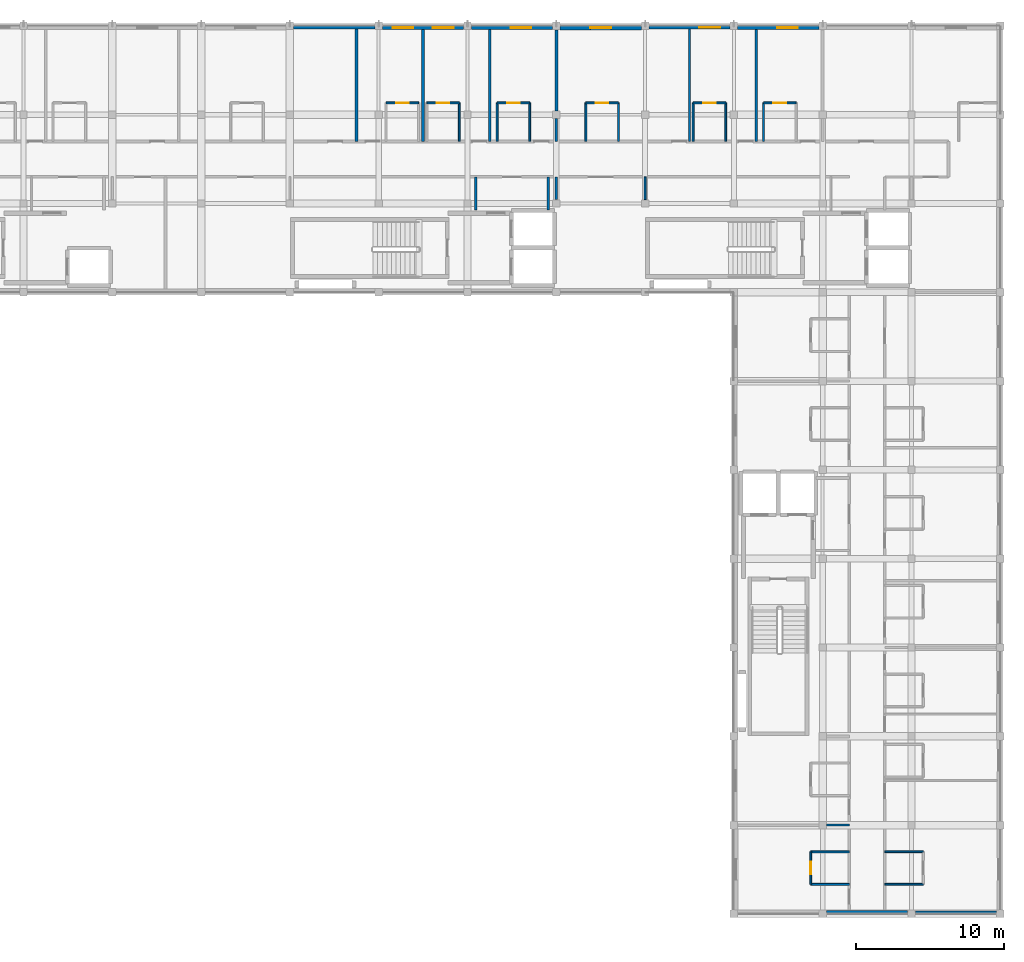
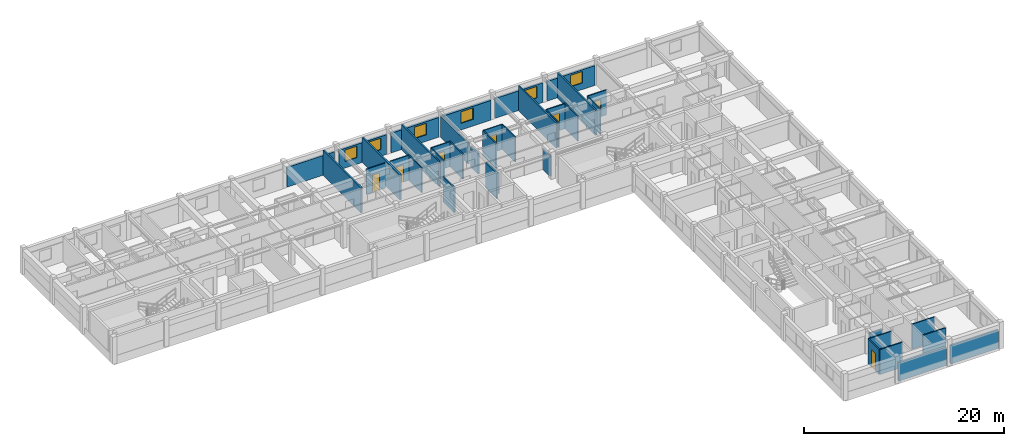
# One storey, part 6 of 14: 39 walls, 7 doors, 6 windows, 13 openings.
"""IFC4 building model written with IfcOpenShell, lengths in metres."""

from ifc_helpers import new_model, si_unit, direction, frame, frame_2d, origin, place, context, subcontext, project, spatial, rectangle, extrude, material, layer, layer_set, type_object, element, fill, save


model = new_model("IFC4")

# Units and contexts
model_context = context("Model", 3, precision=1e-05, world=origin(), true_north=direction((0.0, 1.0)))
body_context = subcontext(model_context, "Body", "Model", "MODEL_VIEW")
ifc_project = project(units=[si_unit("LENGTHUNIT", "METRE"), si_unit("AREAUNIT", "SQUARE_METRE"), si_unit("VOLUMEUNIT", "CUBIC_METRE"), si_unit("PLANEANGLEUNIT", "RADIAN"), si_unit("MASSUNIT", "GRAM", prefix="KILO"), si_unit("THERMODYNAMICTEMPERATUREUNIT", "KELVIN"), si_unit("POWERUNIT", "WATT")], contexts=[model_context])

# Site, building, storey
site_placement = place(None, origin())
site = spatial("IfcSite", under=ifc_project, at=site_placement, CompositionType="ELEMENT")
building_placement = place(site_placement, origin())
building = spatial("IfcBuilding", under=site, at=building_placement, Name="Phaisarnlok Congress Hotel", CompositionType="ELEMENT")
storey_placement = place(building_placement, frame((0.0, 0.0, 48.0)))
storey = spatial("IfcBuildingStorey", under=building, at=storey_placement, Name="L12", CompositionType="ELEMENT", Elevation=48.0)

# Wall, opening, window
ifc_material_1 = material(Name="Concrete C40/50", Category="concrete")
ifc_layer_1 = layer(ifc_material_1, 0.2099609375, Name="Concrete C40/50")
ifc_layer_set_1 = layer_set([ifc_layer_1], Name="Concrete C40/50")
wall_type_1 = type_object("IfcWallType", Name="WL-EXT-210", PredefinedType="SOLIDWALL", material=ifc_layer_set_1)
wall_1_placement = place(storey_placement, frame((161.7451171875, 125.89501953125, 0.0), z_axis=(0.0, 0.0, 1.0), x_axis=(-1.0, 0.0, 0.0)))
wall_1 = element("IfcWall", 1, at=wall_1_placement, inside=storey, type_object=wall_type_1, Name="Exterior wall EW-07 (L12)", PredefinedType="SOLIDWALL", context=body_context, shape_type="SweptSolid", body=[
    extrude(rectangle(XDim=5.490234375, YDim=0.2099609375, at=frame_2d((2.7451171875, 0.0))), origin(), (0.0, 0.0, 1.0), 2.39990234375),
])
opening_1_placement = place(wall_1_placement, frame((0.681884765625, 0.0, 0.800048828125)))
opening_1 = element("IfcOpeningElement", 2, at=opening_1_placement, cuts=wall_1, Name="Opening W-13", PredefinedType="OPENING", context=body_context, shape_type="SweptSolid", body=[
    extrude(rectangle(XDim=1.39990234375, YDim=1.39990234375, at=frame_2d((0.699951171875, 0.699951171875))), frame((0.0, 0.114990234375, 0.0), z_axis=(0.0, -1.0, 0.0), x_axis=(1.0, 0.0, 0.0)), (0.0, 0.0, 1.0), 0.22998046875),
])
ifc_material_2 = material(Name="Thermally Broken Aluminium & Low-E Double Glazing", Category="aluminium")
window_type = type_object("IfcWindowType", Name="WIN-POD-1400", PartitioningType="SINGLE_PANEL", PredefinedType="WINDOW", material=ifc_material_2)
window_1_placement = place(opening_1_placement, origin())
window_1 = element("IfcWindow", 3, at=window_1_placement, inside=storey, type_object=window_type, Name="Guestroom window W-13 (L12)", OverallHeight=1.39990234375, OverallWidth=1.39990234375, PartitioningType="SINGLE_PANEL", PredefinedType="WINDOW", context=body_context, shape_type="SweptSolid", body=[
    extrude(rectangle(XDim=1.39990234375, YDim=1.39990234375, at=frame_2d((0.699951171875, 0.699951171875))), frame((0.0, 0.030029296875, 0.0), z_axis=(0.0, -1.0, 0.0), x_axis=(1.0, 0.0, 0.0)), (0.0, 0.0, 1.0), 0.06005859375),
])
fill(opening_1, window_1)

# Walls
wall_2_placement = place(storey_placement, frame((137.7451171875, 125.89501953125, 0.0), z_axis=(0.0, 0.0, 1.0), x_axis=(-1.0, 0.0, 0.0)))
element("IfcWall", 4, at=wall_2_placement, inside=storey, type_object=wall_type_1, Name="Exterior wall EW-07 (L12)", PredefinedType="SOLIDWALL", context=body_context, shape_type="SweptSolid", body=[
    extrude(rectangle(XDim=5.490234375, YDim=0.2099609375, at=frame_2d((2.7451171875, 0.0))), origin(), (0.0, 0.0, 1.0), 2.39990234375),
])
wall_3_placement = place(storey_placement, frame((174.2548828125, 66.10498046875, 0.0), z_axis=(0.0, 0.0, 1.0), x_axis=(1.0, 0.0, 0.0)))
element("IfcWall", 5, at=wall_3_placement, inside=storey, type_object=wall_type_1, Name="Exterior wall EW-07 (L12)", PredefinedType="SOLIDWALL", context=body_context, shape_type="SweptSolid", body=[
    extrude(rectangle(XDim=5.490234375, YDim=0.2099609375, at=frame_2d((2.7451171875, 0.0))), origin(), (0.0, 0.0, 1.0), 2.25),
])

# Wall, opening, window
ifc_layer_2 = layer(ifc_material_1, 0.22998046875, Name="Concrete C40/50")
ifc_layer_set_2 = layer_set([ifc_layer_2], Name="Concrete C40/50")
wall_type_2 = type_object("IfcWallType", Name="WL-EXT-230", PredefinedType="SOLIDWALL", material=ifc_layer_set_2)
wall_4_placement = place(storey_placement, frame((167.7451171875, 125.885009765625, 0.0), z_axis=(0.0, 0.0, 1.0), x_axis=(-1.0, 0.0, 0.0)))
wall_4 = element("IfcWall", 6, at=wall_4_placement, inside=storey, type_object=wall_type_2, Name="Exterior wall EW-06 (L12)", PredefinedType="SOLIDWALL", context=body_context, shape_type="SweptSolid", body=[
    extrude(rectangle(XDim=5.490234375, YDim=0.22998046875, at=frame_2d((2.7451171875, 0.0))), origin(), (0.0, 0.0, 1.0), 2.39990234375),
])
opening_2_placement = place(wall_4_placement, frame((1.431884765625, 0.0, 0.800048828125)))
opening_2 = element("IfcOpeningElement", 7, at=opening_2_placement, cuts=wall_4, Name="Opening W-13", PredefinedType="OPENING", context=body_context, shape_type="SweptSolid", body=[
    extrude(rectangle(XDim=1.39990234375, YDim=1.39990234375, at=frame_2d((0.699951171875, 0.699951171875))), frame((0.0, 0.125, 0.0), z_axis=(0.0, -1.0, 0.0), x_axis=(1.0, 0.0, 0.0)), (0.0, 0.0, 1.0), 0.25),
])
window_2_placement = place(opening_2_placement, origin())
window_2 = element("IfcWindow", 8, at=window_2_placement, inside=storey, type_object=window_type, Name="Guestroom window W-13 (L12)", OverallHeight=1.39990234375, OverallWidth=1.39990234375, PartitioningType="SINGLE_PANEL", PredefinedType="WINDOW", context=body_context, shape_type="SweptSolid", body=[
    extrude(rectangle(XDim=1.39990234375, YDim=1.39990234375, at=frame_2d((0.699951171875, 0.699951171875))), frame((0.0, 0.030029296875, 0.0), z_axis=(0.0, -1.0, 0.0), x_axis=(1.0, 0.0, 0.0)), (0.0, 0.0, 1.0), 0.06005859375),
])
fill(opening_2, window_2)

# Wall, openings, windows
wall_5_placement = place(storey_placement, frame((143.7451171875, 125.885009765625, 0.0), z_axis=(0.0, 0.0, 1.0), x_axis=(-1.0, 0.0, 0.0)))
wall_5 = element("IfcWall", 9, at=wall_5_placement, inside=storey, type_object=wall_type_2, Name="Exterior wall EW-06 (L12)", PredefinedType="SOLIDWALL", context=body_context, shape_type="SweptSolid", body=[
    extrude(rectangle(XDim=5.490234375, YDim=0.22998046875, at=frame_2d((2.7451171875, 0.0))), origin(), (0.0, 0.0, 1.0), 2.39990234375),
])
opening_3_placement = place(wall_5_placement, frame((3.407958984375, 0.0, 0.800048828125)))
opening_3 = element("IfcOpeningElement", 10, at=opening_3_placement, cuts=wall_5, Name="Opening W-13", PredefinedType="OPENING", context=body_context, shape_type="SweptSolid", body=[
    extrude(rectangle(XDim=1.39990234375, YDim=1.39990234375, at=frame_2d((0.699951171875, 0.699951171875))), frame((0.0, 0.125, 0.0), z_axis=(0.0, -1.0, 0.0), x_axis=(1.0, 0.0, 0.0)), (0.0, 0.0, 1.0), 0.25),
])
opening_4_placement = place(wall_5_placement, frame((0.681884765625, 0.0, 0.800048828125)))
opening_4 = element("IfcOpeningElement", 11, at=opening_4_placement, cuts=wall_5, Name="Opening W-13", PredefinedType="OPENING", context=body_context, shape_type="SweptSolid", body=[
    extrude(rectangle(XDim=1.39990234375, YDim=1.39990234375, at=frame_2d((0.699951171875, 0.699951171875))), frame((0.0, 0.125, 0.0), z_axis=(0.0, -1.0, 0.0), x_axis=(1.0, 0.0, 0.0)), (0.0, 0.0, 1.0), 0.25),
])
window_3_placement = place(opening_3_placement, origin())
window_3 = element("IfcWindow", 12, at=window_3_placement, inside=storey, type_object=window_type, Name="Guestroom window W-13 (L12)", OverallHeight=1.39990234375, OverallWidth=1.39990234375, PartitioningType="SINGLE_PANEL", PredefinedType="WINDOW", context=body_context, shape_type="SweptSolid", body=[
    extrude(rectangle(XDim=1.39990234375, YDim=1.39990234375, at=frame_2d((0.699951171875, 0.699951171875))), frame((0.0, 0.030029296875, 0.0), z_axis=(0.0, -1.0, 0.0), x_axis=(1.0, 0.0, 0.0)), (0.0, 0.0, 1.0), 0.06005859375),
])
fill(opening_3, window_3)
window_4_placement = place(opening_4_placement, origin())
window_4 = element("IfcWindow", 13, at=window_4_placement, inside=storey, type_object=window_type, Name="Guestroom window W-13 (L12)", OverallHeight=1.39990234375, OverallWidth=1.39990234375, PartitioningType="SINGLE_PANEL", PredefinedType="WINDOW", context=body_context, shape_type="SweptSolid", body=[
    extrude(rectangle(XDim=1.39990234375, YDim=1.39990234375, at=frame_2d((0.699951171875, 0.699951171875))), frame((0.0, 0.030029296875, 0.0), z_axis=(0.0, -1.0, 0.0), x_axis=(1.0, 0.0, 0.0)), (0.0, 0.0, 1.0), 0.06005859375),
])
fill(opening_4, window_4)

# Wall
wall_6_placement = place(storey_placement, frame((168.2548828125, 66.114990234375, 0.0), z_axis=(0.0, 0.0, 1.0), x_axis=(1.0, 0.0, 0.0)))
element("IfcWall", 14, at=wall_6_placement, inside=storey, type_object=wall_type_2, Name="Exterior wall EW-06 (L12)", PredefinedType="SOLIDWALL", context=body_context, shape_type="SweptSolid", body=[
    extrude(rectangle(XDim=5.490234375, YDim=0.22998046875, at=frame_2d((2.7451171875, 0.0))), origin(), (0.0, 0.0, 1.0), 2.25),
])

# Wall, opening, window
ifc_layer_3 = layer(ifc_material_1, 0.25, Name="Concrete C40/50")
ifc_layer_set_3 = layer_set([ifc_layer_3], Name="Concrete C40/50")
wall_type_3 = type_object("IfcWallType", Name="WL-EXT-250", PredefinedType="SOLIDWALL", material=ifc_layer_set_3)
wall_7_placement = place(storey_placement, frame((149.7451171875, 125.875, 0.0), z_axis=(0.0, 0.0, 1.0), x_axis=(-1.0, 0.0, 0.0)))
wall_7 = element("IfcWall", 15, at=wall_7_placement, inside=storey, type_object=wall_type_3, Name="Exterior wall EW-05 (L12)", PredefinedType="SOLIDWALL", context=body_context, shape_type="SweptSolid", body=[
    extrude(rectangle(XDim=5.490234375, YDim=0.25, at=frame_2d((2.7451171875, 0.0))), origin(), (0.0, 0.0, 1.0), 2.39990234375),
])
opening_5_placement = place(wall_7_placement, frame((1.431884765625, 0.0, 0.800048828125)))
opening_5 = element("IfcOpeningElement", 16, at=opening_5_placement, cuts=wall_7, Name="Opening W-13", PredefinedType="OPENING", context=body_context, shape_type="SweptSolid", body=[
    extrude(rectangle(XDim=1.39990234375, YDim=1.39990234375, at=frame_2d((0.699951171875, 0.699951171875))), frame((0.0, 0.135009765625, 0.0), z_axis=(0.0, -1.0, 0.0), x_axis=(1.0, 0.0, 0.0)), (0.0, 0.0, 1.0), 0.27001953125),
])
window_5_placement = place(opening_5_placement, origin())
window_5 = element("IfcWindow", 17, at=window_5_placement, inside=storey, type_object=window_type, Name="Guestroom window W-13 (L12)", OverallHeight=1.39990234375, OverallWidth=1.39990234375, PartitioningType="SINGLE_PANEL", PredefinedType="WINDOW", context=body_context, shape_type="SweptSolid", body=[
    extrude(rectangle(XDim=1.39990234375, YDim=1.39990234375, at=frame_2d((0.699951171875, 0.699951171875))), frame((0.0, 0.030029296875, 0.0), z_axis=(0.0, -1.0, 0.0), x_axis=(1.0, 0.0, 0.0)), (0.0, 0.0, 1.0), 0.06005859375),
])
fill(opening_5, window_5)

ifc_layer_4 = layer(ifc_material_1, 0.27001953125, Name="Concrete C40/50")
ifc_layer_set_4 = layer_set([ifc_layer_4], Name="Concrete C40/50")
wall_type_4 = type_object("IfcWallType", Name="WL-EXT-270", PredefinedType="SOLIDWALL", material=ifc_layer_set_4)
wall_8_placement = place(storey_placement, frame((155.7451171875, 125.864990234375, 0.0), z_axis=(0.0, 0.0, 1.0), x_axis=(-1.0, 0.0, 0.0)))
wall_8 = element("IfcWall", 18, at=wall_8_placement, inside=storey, type_object=wall_type_4, Name="Exterior wall EW-04 (L12)", PredefinedType="SOLIDWALL", context=body_context, shape_type="SweptSolid", body=[
    extrude(rectangle(XDim=5.490234375, YDim=0.27001953125, at=frame_2d((2.7451171875, 0.0))), origin(), (0.0, 0.0, 1.0), 2.39990234375),
])
opening_6_placement = place(wall_8_placement, frame((2.044921875, 0.0, 0.800048828125)))
opening_6 = element("IfcOpeningElement", 19, at=opening_6_placement, cuts=wall_8, Name="Opening W-13", PredefinedType="OPENING", context=body_context, shape_type="SweptSolid", body=[
    extrude(rectangle(XDim=1.39990234375, YDim=1.39990234375, at=frame_2d((0.699951171875, 0.699951171875))), frame((0.0, 0.14501953125, 0.0), z_axis=(0.0, -1.0, 0.0), x_axis=(1.0, 0.0, 0.0)), (0.0, 0.0, 1.0), 0.2900390625),
])
window_6_placement = place(opening_6_placement, origin())
window_6 = element("IfcWindow", 20, at=window_6_placement, inside=storey, type_object=window_type, Name="Guestroom window W-13 (L12)", OverallHeight=1.39990234375, OverallWidth=1.39990234375, PartitioningType="SINGLE_PANEL", PredefinedType="WINDOW", context=body_context, shape_type="SweptSolid", body=[
    extrude(rectangle(XDim=1.39990234375, YDim=1.39990234375, at=frame_2d((0.699951171875, 0.699951171875))), frame((0.0, 0.030029296875, 0.0), z_axis=(0.0, -1.0, 0.0), x_axis=(1.0, 0.0, 0.0)), (0.0, 0.0, 1.0), 0.06005859375),
])
fill(opening_6, window_6)

# Walls
ifc_material_3 = material(Name="Lightweight Metal-Stud Gypsum Partition", Category="gypsum")
ifc_layer_5 = layer(ifc_material_3, 0.1201171875, Name="Lightweight Metal-Stud Gypsum Partition")
ifc_layer_set_5 = layer_set([ifc_layer_5], Name="Lightweight Metal-Stud Gypsum Partition")
wall_type_5 = type_object("IfcWallType", Name="WL-INT-120", PredefinedType="PARTITIONING", material=ifc_layer_set_5)
for number, where, z_axis, x_axis, name in (
    (21, (143.449951171875, 118.199951171875, 0.0), (0.0, 0.0, 1.0), (0.0, 1.0, 0.0), "Interior partition wall IW-07 (L12)"),
    (22, (148.199951171875, 118.199951171875, 0.0), (0.0, 0.0, 1.0), (0.0, 1.0, 0.0), "Interior partition wall IW-07 (L12)"),
    (23, (154.199951171875, 118.199951171875, 0.0), (0.0, 0.0, 1.0), (0.0, 1.0, 0.0), "Interior partition wall IW-07 (L12)"),
    (24, (161.449951171875, 118.199951171875, 0.0), (0.0, 0.0, 1.0), (0.0, 1.0, 0.0), "Interior partition wall IW-07 (L12)"),
    (25, (164.0, 118.199951171875, 0.0), (0.0, 0.0, 1.0), (0.0, 1.0, 0.0), "Interior partition wall IW-07 (L12)"),
):
    element("IfcWall", number, at=place(storey_placement, frame(where, z_axis=z_axis, x_axis=x_axis)), inside=storey, type_object=wall_type_5, Name=name, PredefinedType="PARTITIONING", context=body_context, shape_type="SweptSolid", body=[
        extrude(rectangle(XDim=2.60009765625, YDim=0.1201171875, at=frame_2d((1.300048828125, 0.0))), origin(), (0.0, 0.0, 1.0), 3.050048828125),
    ])

# Wall, opening, door
wall_9_placement = place(storey_placement, frame((167.199951171875, 68.0, 0.0), z_axis=(0.0, 0.0, 1.0), x_axis=(0.0, 1.0, 0.0)))
wall_9 = element("IfcWall", 26, at=wall_9_placement, inside=storey, type_object=wall_type_5, Name="Interior partition wall IW-07 (L12)", PredefinedType="PARTITIONING", context=body_context, shape_type="SweptSolid", body=[
    extrude(rectangle(XDim=2.199951171875, YDim=0.1201171875, at=frame_2d((1.10009765625, 0.0))), origin(), (0.0, 0.0, 1.0), 3.050048828125),
])
opening_7_placement = place(wall_9_placement, frame((0.675048828125, 0.0, 0.0)))
opening_7 = element("IfcOpeningElement", 27, at=opening_7_placement, cuts=wall_9, Name="Opening D-0716", PredefinedType="OPENING", context=body_context, shape_type="SweptSolid", body=[
    extrude(rectangle(XDim=0.85009765625, YDim=2.10009765625, at=frame_2d((0.425048828125, 1.050048828125))), frame((0.0, 0.070068359375, 0.0), z_axis=(0.0, -1.0, 0.0), x_axis=(1.0, 0.0, 0.0)), (0.0, 0.0, 1.0), 0.14013671875),
])
ifc_material_4 = material(Name="Moisture-Resistant Lacquered Timber", Category="wood")
door_type = type_object("IfcDoorType", Name="DR-BATH-850", OperationType="NOTDEFINED", PredefinedType="DOOR", material=ifc_material_4)
door_1_placement = place(opening_7_placement, origin())
door_1 = element("IfcDoor", 28, at=door_1_placement, inside=storey, type_object=door_type, Name="Interior door D-0716 (L12)", OperationType="SINGLE_SWING_LEFT", OverallHeight=2.10009765625, OverallWidth=0.85009765625, PredefinedType="DOOR", context=body_context, shape_type="SweptSolid", body=[
    extrude(rectangle(XDim=0.85009765625, YDim=2.10009765625, at=frame_2d((0.425048828125, 1.050048828125))), frame((0.0, 0.02490234375, 0.0), z_axis=(0.0, -1.0, 0.0), x_axis=(1.0, 0.0, 0.0)), (0.0, 0.0, 1.0), 0.050048828125),
])
fill(opening_7, door_1)

# Walls
for number, where, z_axis, x_axis, name in (
    (29, (172.199951171875, 68.0, 0.0), (0.0, 0.0, 1.0), (1.0, 0.0, 0.0), "Interior partition wall IW-07 (L12)"),
    (30, (172.199951171875, 70.199951171875, 0.0), (0.0, 0.0, 1.0), (1.0, 0.0, 0.0), "Interior partition wall IW-07 (L12)"),
):
    element("IfcWall", number, at=place(storey_placement, frame(where, z_axis=z_axis, x_axis=x_axis)), inside=storey, type_object=wall_type_5, Name=name, PredefinedType="PARTITIONING", context=body_context, shape_type="SweptSolid", body=[
        extrude(rectangle(XDim=2.60009765625, YDim=0.1201171875, at=frame_2d((1.300048828125, 0.0))), origin(), (0.0, 0.0, 1.0), 3.050048828125),
    ])

# Wall, opening, door
wall_10_placement = place(storey_placement, frame((141.25, 120.800048828125, 0.0), z_axis=(0.0, 0.0, 1.0), x_axis=(1.0, 0.0, 0.0)))
wall_10 = element("IfcWall", 31, at=wall_10_placement, inside=storey, type_object=wall_type_5, Name="Interior partition wall IW-07 (L12)", PredefinedType="PARTITIONING", context=body_context, shape_type="SweptSolid", body=[
    extrude(rectangle(XDim=2.199951171875, YDim=0.1201171875, at=frame_2d((1.10009765625, 0.0))), origin(), (0.0, 0.0, 1.0), 3.050048828125),
])
opening_8_placement = place(wall_10_placement, frame((0.675048828125, 0.0, 0.0)))
opening_8 = element("IfcOpeningElement", 32, at=opening_8_placement, cuts=wall_10, Name="Opening D-0691", PredefinedType="OPENING", context=body_context, shape_type="SweptSolid", body=[
    extrude(rectangle(XDim=0.85009765625, YDim=2.10009765625, at=frame_2d((0.425048828125, 1.050048828125))), frame((0.0, 0.070068359375, 0.0), z_axis=(0.0, -1.0, 0.0), x_axis=(1.0, 0.0, 0.0)), (0.0, 0.0, 1.0), 0.14013671875),
])
door_2_placement = place(opening_8_placement, origin())
door_2 = element("IfcDoor", 33, at=door_2_placement, inside=storey, type_object=door_type, Name="Interior door D-0691 (L12)", OperationType="SINGLE_SWING_RIGHT", OverallHeight=2.10009765625, OverallWidth=0.85009765625, PredefinedType="DOOR", context=body_context, shape_type="SweptSolid", body=[
    extrude(rectangle(XDim=0.85009765625, YDim=2.10009765625, at=frame_2d((0.425048828125, 1.050048828125))), frame((0.0, 0.02490234375, 0.0), z_axis=(0.0, -1.0, 0.0), x_axis=(1.0, 0.0, 0.0)), (0.0, 0.0, 1.0), 0.050048828125),
])
fill(opening_8, door_2)

wall_11_placement = place(storey_placement, frame((152.0, 120.800048828125, 0.0), z_axis=(0.0, 0.0, 1.0), x_axis=(1.0, 0.0, 0.0)))
wall_11 = element("IfcWall", 34, at=wall_11_placement, inside=storey, type_object=wall_type_5, Name="Interior partition wall IW-07 (L12)", PredefinedType="PARTITIONING", context=body_context, shape_type="SweptSolid", body=[
    extrude(rectangle(XDim=2.199951171875, YDim=0.1201171875, at=frame_2d((1.10009765625, 0.0))), origin(), (0.0, 0.0, 1.0), 3.050048828125),
])
opening_9_placement = place(wall_11_placement, frame((0.675048828125, 0.0, 0.0)))
opening_9 = element("IfcOpeningElement", 35, at=opening_9_placement, cuts=wall_11, Name="Opening D-0695", PredefinedType="OPENING", context=body_context, shape_type="SweptSolid", body=[
    extrude(rectangle(XDim=0.85009765625, YDim=2.10009765625, at=frame_2d((0.425048828125, 1.050048828125))), frame((0.0, 0.070068359375, 0.0), z_axis=(0.0, -1.0, 0.0), x_axis=(1.0, 0.0, 0.0)), (0.0, 0.0, 1.0), 0.14013671875),
])
door_3_placement = place(opening_9_placement, origin())
door_3 = element("IfcDoor", 36, at=door_3_placement, inside=storey, type_object=door_type, Name="Interior door D-0695 (L12)", OperationType="SINGLE_SWING_RIGHT", OverallHeight=2.10009765625, OverallWidth=0.85009765625, PredefinedType="DOOR", context=body_context, shape_type="SweptSolid", body=[
    extrude(rectangle(XDim=0.85009765625, YDim=2.10009765625, at=frame_2d((0.425048828125, 1.050048828125))), frame((0.0, 0.02490234375, 0.0), z_axis=(0.0, -1.0, 0.0), x_axis=(1.0, 0.0, 0.0)), (0.0, 0.0, 1.0), 0.050048828125),
])
fill(opening_9, door_3)

wall_12_placement = place(storey_placement, frame((164.0, 120.800048828125, 0.0), z_axis=(0.0, 0.0, 1.0), x_axis=(1.0, 0.0, 0.0)))
wall_12 = element("IfcWall", 37, at=wall_12_placement, inside=storey, type_object=wall_type_5, Name="Interior partition wall IW-07 (L12)", PredefinedType="PARTITIONING", context=body_context, shape_type="SweptSolid", body=[
    extrude(rectangle(XDim=2.199951171875, YDim=0.1201171875, at=frame_2d((1.10009765625, 0.0))), origin(), (0.0, 0.0, 1.0), 3.050048828125),
])
opening_10_placement = place(wall_12_placement, frame((0.675048828125, 0.0, 0.0)))
opening_10 = element("IfcOpeningElement", 38, at=opening_10_placement, cuts=wall_12, Name="Opening D-0699", PredefinedType="OPENING", context=body_context, shape_type="SweptSolid", body=[
    extrude(rectangle(XDim=0.85009765625, YDim=2.10009765625, at=frame_2d((0.425048828125, 1.050048828125))), frame((0.0, 0.070068359375, 0.0), z_axis=(0.0, -1.0, 0.0), x_axis=(1.0, 0.0, 0.0)), (0.0, 0.0, 1.0), 0.14013671875),
])
door_4_placement = place(opening_10_placement, origin())
door_4 = element("IfcDoor", 39, at=door_4_placement, inside=storey, type_object=door_type, Name="Interior door D-0699 (L12)", OperationType="SINGLE_SWING_RIGHT", OverallHeight=2.10009765625, OverallWidth=0.85009765625, PredefinedType="DOOR", context=body_context, shape_type="SweptSolid", body=[
    extrude(rectangle(XDim=0.85009765625, YDim=2.10009765625, at=frame_2d((0.425048828125, 1.050048828125))), frame((0.0, 0.02490234375, 0.0), z_axis=(0.0, -1.0, 0.0), x_axis=(1.0, 0.0, 0.0)), (0.0, 0.0, 1.0), 0.050048828125),
])
fill(opening_10, door_4)

# Walls
ifc_material_5 = material(Name="Moisture-Resistant Gypsum Partition", Category="gypsum")
ifc_layer_6 = layer(ifc_material_5, 0.135009765625, Name="Moisture-Resistant Gypsum Partition")
ifc_layer_set_6 = layer_set([ifc_layer_6], Name="Moisture-Resistant Gypsum Partition")
wall_type_6 = type_object("IfcWallType", Name="WL-INT-135", PredefinedType="PARTITIONING", material=ifc_layer_set_6)
for number, where, z_axis, x_axis, name in (
    (40, (146.0, 118.199951171875, 0.0), (0.0, 0.0, 1.0), (0.0, 1.0, 0.0), "Interior partition wall IW-06 (L12)"),
    (41, (152.0, 118.199951171875, 0.0), (0.0, 0.0, 1.0), (0.0, 1.0, 0.0), "Interior partition wall IW-06 (L12)"),
):
    element("IfcWall", number, at=place(storey_placement, frame(where, z_axis=z_axis, x_axis=x_axis)), inside=storey, type_object=wall_type_6, Name=name, PredefinedType="PARTITIONING", context=body_context, shape_type="SweptSolid", body=[
        extrude(rectangle(XDim=2.60009765625, YDim=0.135009765625, at=frame_2d((1.300048828125, 0.0))), origin(), (0.0, 0.0, 1.0), 3.050048828125),
    ])
wall_13_placement = place(storey_placement, frame((156.0, 114.2548828125, 0.0), z_axis=(0.0, 0.0, 1.0), x_axis=(0.0, 1.0, 0.0)))
element("IfcWall", 42, at=wall_13_placement, inside=storey, type_object=wall_type_6, Name="Interior partition wall IW-06 (L12)", PredefinedType="PARTITIONING", context=body_context, shape_type="SweptSolid", body=[
    extrude(rectangle(XDim=1.545166015625, YDim=0.135009765625, at=frame_2d((0.7724609375, 0.0))), origin(), (0.0, 0.0, 1.0), 2.5),
])
for number, where, z_axis, x_axis, name in (
    (43, (159.25, 118.199951171875, 0.0), (0.0, 0.0, 1.0), (0.0, 1.0, 0.0), "Interior partition wall IW-06 (L12)"),
    (44, (167.199951171875, 68.0, 0.0), (0.0, 0.0, 1.0), (1.0, 0.0, 0.0), "Interior partition wall IW-06 (L12)"),
    (45, (167.199951171875, 70.199951171875, 0.0), (0.0, 0.0, 1.0), (1.0, 0.0, 0.0), "Interior partition wall IW-06 (L12)"),
):
    element("IfcWall", number, at=place(storey_placement, frame(where, z_axis=z_axis, x_axis=x_axis)), inside=storey, type_object=wall_type_6, Name=name, PredefinedType="PARTITIONING", context=body_context, shape_type="SweptSolid", body=[
        extrude(rectangle(XDim=2.60009765625, YDim=0.135009765625, at=frame_2d((1.300048828125, 0.0))), origin(), (0.0, 0.0, 1.0), 3.050048828125),
    ])

# Wall, opening, door
wall_14_placement = place(storey_placement, frame((138.5, 120.800048828125, 0.0), z_axis=(0.0, 0.0, 1.0), x_axis=(1.0, 0.0, 0.0)))
wall_14 = element("IfcWall", 46, at=wall_14_placement, inside=storey, type_object=wall_type_6, Name="Interior partition wall IW-06 (L12)", PredefinedType="PARTITIONING", context=body_context, shape_type="SweptSolid", body=[
    extrude(rectangle(XDim=2.199951171875, YDim=0.135009765625, at=frame_2d((1.10009765625, 0.0))), origin(), (0.0, 0.0, 1.0), 3.050048828125),
])
opening_11_placement = place(wall_14_placement, frame((0.675048828125, 0.0, 0.0)))
opening_11 = element("IfcOpeningElement", 47, at=opening_11_placement, cuts=wall_14, Name="Opening D-0689", PredefinedType="OPENING", context=body_context, shape_type="SweptSolid", body=[
    extrude(rectangle(XDim=0.85009765625, YDim=2.10009765625, at=frame_2d((0.425048828125, 1.050048828125))), frame((0.0, 0.07763671875, 0.0), z_axis=(0.0, -1.0, 0.0), x_axis=(1.0, 0.0, 0.0)), (0.0, 0.0, 1.0), 0.155029296875),
])
door_5_placement = place(opening_11_placement, origin())
door_5 = element("IfcDoor", 48, at=door_5_placement, inside=storey, type_object=door_type, Name="Interior door D-0689 (L12)", OperationType="SINGLE_SWING_RIGHT", OverallHeight=2.10009765625, OverallWidth=0.85009765625, PredefinedType="DOOR", context=body_context, shape_type="SweptSolid", body=[
    extrude(rectangle(XDim=0.85009765625, YDim=2.10009765625, at=frame_2d((0.425048828125, 1.050048828125))), frame((0.0, 0.02490234375, 0.0), z_axis=(0.0, -1.0, 0.0), x_axis=(1.0, 0.0, 0.0)), (0.0, 0.0, 1.0), 0.050048828125),
])
fill(opening_11, door_5)

wall_15_placement = place(storey_placement, frame((146.0, 120.800048828125, 0.0), z_axis=(0.0, 0.0, 1.0), x_axis=(1.0, 0.0, 0.0)))
wall_15 = element("IfcWall", 49, at=wall_15_placement, inside=storey, type_object=wall_type_6, Name="Interior partition wall IW-06 (L12)", PredefinedType="PARTITIONING", context=body_context, shape_type="SweptSolid", body=[
    extrude(rectangle(XDim=2.199951171875, YDim=0.135009765625, at=frame_2d((1.10009765625, 0.0))), origin(), (0.0, 0.0, 1.0), 3.050048828125),
])
opening_12_placement = place(wall_15_placement, frame((0.675048828125, 0.0, 0.0)))
opening_12 = element("IfcOpeningElement", 50, at=opening_12_placement, cuts=wall_15, Name="Opening D-0693", PredefinedType="OPENING", context=body_context, shape_type="SweptSolid", body=[
    extrude(rectangle(XDim=0.85009765625, YDim=2.10009765625, at=frame_2d((0.425048828125, 1.050048828125))), frame((0.0, 0.07763671875, 0.0), z_axis=(0.0, -1.0, 0.0), x_axis=(1.0, 0.0, 0.0)), (0.0, 0.0, 1.0), 0.155029296875),
])
door_6_placement = place(opening_12_placement, origin())
door_6 = element("IfcDoor", 51, at=door_6_placement, inside=storey, type_object=door_type, Name="Interior door D-0693 (L12)", OperationType="SINGLE_SWING_RIGHT", OverallHeight=2.10009765625, OverallWidth=0.85009765625, PredefinedType="DOOR", context=body_context, shape_type="SweptSolid", body=[
    extrude(rectangle(XDim=0.85009765625, YDim=2.10009765625, at=frame_2d((0.425048828125, 1.050048828125))), frame((0.0, 0.02490234375, 0.0), z_axis=(0.0, -1.0, 0.0), x_axis=(1.0, 0.0, 0.0)), (0.0, 0.0, 1.0), 0.050048828125),
])
fill(opening_12, door_6)

wall_16_placement = place(storey_placement, frame((159.25, 120.800048828125, 0.0), z_axis=(0.0, 0.0, 1.0), x_axis=(1.0, 0.0, 0.0)))
wall_16 = element("IfcWall", 52, at=wall_16_placement, inside=storey, type_object=wall_type_6, Name="Interior partition wall IW-06 (L12)", PredefinedType="PARTITIONING", context=body_context, shape_type="SweptSolid", body=[
    extrude(rectangle(XDim=2.199951171875, YDim=0.135009765625, at=frame_2d((1.10009765625, 0.0))), origin(), (0.0, 0.0, 1.0), 3.050048828125),
])
opening_13_placement = place(wall_16_placement, frame((0.675048828125, 0.0, 0.0)))
opening_13 = element("IfcOpeningElement", 53, at=opening_13_placement, cuts=wall_16, Name="Opening D-0697", PredefinedType="OPENING", context=body_context, shape_type="SweptSolid", body=[
    extrude(rectangle(XDim=0.85009765625, YDim=2.10009765625, at=frame_2d((0.425048828125, 1.050048828125))), frame((0.0, 0.07763671875, 0.0), z_axis=(0.0, -1.0, 0.0), x_axis=(1.0, 0.0, 0.0)), (0.0, 0.0, 1.0), 0.155029296875),
])
door_7_placement = place(opening_13_placement, origin())
door_7 = element("IfcDoor", 54, at=door_7_placement, inside=storey, type_object=door_type, Name="Interior door D-0697 (L12)", OperationType="SINGLE_SWING_RIGHT", OverallHeight=2.10009765625, OverallWidth=0.85009765625, PredefinedType="DOOR", context=body_context, shape_type="SweptSolid", body=[
    extrude(rectangle(XDim=0.85009765625, YDim=2.10009765625, at=frame_2d((0.425048828125, 1.050048828125))), frame((0.0, 0.02490234375, 0.0), z_axis=(0.0, -1.0, 0.0), x_axis=(1.0, 0.0, 0.0)), (0.0, 0.0, 1.0), 0.050048828125),
])
fill(opening_13, door_7)

# Walls
ifc_material_6 = material(Name="Acoustic Gypsum Board & Mineral Wool", Category="gypsum")
ifc_layer_7 = layer(ifc_material_6, 0.14990234375, Name="Acoustic Gypsum Board & Mineral Wool")
ifc_layer_set_7 = layer_set([ifc_layer_7], Name="Acoustic Gypsum Board & Mineral Wool")
wall_type_7 = type_object("IfcWallType", Name="WL-INT-150", PredefinedType="PARTITIONING", material=ifc_layer_set_7)
wall_17_placement = place(storey_placement, frame((145.5, 118.199951171875, 0.0), z_axis=(0.0, 0.0, 1.0), x_axis=(0.0, 1.0, 0.0)))
element("IfcWall", 55, at=wall_17_placement, inside=storey, type_object=wall_type_7, Name="Interior partition wall IW-05 (L12)", PredefinedType="PARTITIONING", context=body_context, shape_type="SweptSolid", body=[
    extrude(rectangle(XDim=7.545166015625, YDim=0.14990234375, at=frame_2d((3.7724609375, 0.0))), origin(), (0.0, 0.0, 1.0), 3.050048828125),
])
wall_18_placement = place(storey_placement, frame((150.0, 118.199951171875, 0.0), z_axis=(0.0, 0.0, 1.0), x_axis=(0.0, 1.0, 0.0)))
element("IfcWall", 56, at=wall_18_placement, inside=storey, type_object=wall_type_7, Name="Interior partition wall IW-05 (L12)", PredefinedType="PARTITIONING", context=body_context, shape_type="SweptSolid", body=[
    extrude(rectangle(XDim=1.545166015625, YDim=0.14990234375, at=frame_2d((0.7724609375, 0.0))), origin(), (0.0, 0.0, 1.0), 2.5),
])
wall_19_placement = place(storey_placement, frame((159.0, 118.199951171875, 0.0), z_axis=(0.0, 0.0, 1.0), x_axis=(0.0, 1.0, 0.0)))
element("IfcWall", 57, at=wall_19_placement, inside=storey, type_object=wall_type_7, Name="Interior partition wall IW-05 (L12)", PredefinedType="PARTITIONING", context=body_context, shape_type="SweptSolid", body=[
    extrude(rectangle(XDim=7.5849609375, YDim=0.14990234375, at=frame_2d((3.79248046875, 0.0))), origin(), (0.0, 0.0, 1.0), 3.050048828125),
])
wall_20_placement = place(storey_placement, frame((168.2548828125, 72.0, 0.0), z_axis=(0.0, 0.0, 1.0), x_axis=(1.0, 0.0, 0.0)))
element("IfcWall", 58, at=wall_20_placement, inside=storey, type_object=wall_type_7, Name="Interior partition wall IW-05 (L12)", PredefinedType="PARTITIONING", context=body_context, shape_type="SweptSolid", body=[
    extrude(rectangle(XDim=1.545166015625, YDim=0.14990234375, at=frame_2d((0.7724609375, 0.0))), origin(), (0.0, 0.0, 1.0), 2.25),
])
ifc_material_7 = material(Name="Double-Stud Acoustic Gypsum Partition", Category="gypsum")
ifc_layer_8 = layer(ifc_material_7, 0.159912109375, Name="Double-Stud Acoustic Gypsum Partition")
ifc_layer_set_8 = layer_set([ifc_layer_8], Name="Double-Stud Acoustic Gypsum Partition")
wall_type_8 = type_object("IfcWallType", Name="WL-INT-160", PredefinedType="PARTITIONING", material=ifc_layer_set_8)
wall_21_placement = place(storey_placement, frame((144.550048828125, 113.56005859375, 0.0), z_axis=(0.0, 0.0, 1.0), x_axis=(0.0, 1.0, 0.0)))
element("IfcWall", 59, at=wall_21_placement, inside=storey, type_object=wall_type_8, Name="Interior partition wall IW-04 (L12)", PredefinedType="PARTITIONING", context=body_context, shape_type="SweptSolid", body=[
    extrude(rectangle(XDim=2.239990234375, YDim=0.159912109375, at=frame_2d((1.1201171875, 0.0))), origin(), (0.0, 0.0, 1.0), 3.050048828125),
])
wall_22_placement = place(storey_placement, frame((150.0, 114.2548828125, 0.0), z_axis=(0.0, 0.0, 1.0), x_axis=(0.0, 1.0, 0.0)))
element("IfcWall", 60, at=wall_22_placement, inside=storey, type_object=wall_type_8, Name="Interior partition wall IW-04 (L12)", PredefinedType="PARTITIONING", context=body_context, shape_type="SweptSolid", body=[
    extrude(rectangle(XDim=1.545166015625, YDim=0.159912109375, at=frame_2d((0.7724609375, 0.0))), origin(), (0.0, 0.0, 1.0), 2.5),
])
ifc_material_8 = material(Name="Autoclaved Aerated Concrete Block", Category="concrete")
ifc_layer_9 = layer(ifc_material_8, 0.179931640625, Name="Autoclaved Aerated Concrete Block")
ifc_layer_set_9 = layer_set([ifc_layer_9], Name="Autoclaved Aerated Concrete Block")
wall_type_9 = type_object("IfcWallType", Name="WL-INT-180", PredefinedType="PARTITIONING", material=ifc_layer_set_9)
wall_23_placement = place(storey_placement, frame((136.5, 118.199951171875, 0.0), z_axis=(0.0, 0.0, 1.0), x_axis=(0.0, 1.0, 0.0)))
element("IfcWall", 61, at=wall_23_placement, inside=storey, type_object=wall_type_9, Name="Interior partition wall IW-03 (L12)", PredefinedType="PARTITIONING", context=body_context, shape_type="SweptSolid", body=[
    extrude(rectangle(XDim=7.5849609375, YDim=0.179931640625, at=frame_2d((3.79248046875, 0.0))), origin(), (0.0, 0.0, 1.0), 3.050048828125),
])
wall_24_placement = place(storey_placement, frame((149.449951171875, 113.56005859375, 0.0), z_axis=(0.0, 0.0, 1.0), x_axis=(0.0, 1.0, 0.0)))
element("IfcWall", 62, at=wall_24_placement, inside=storey, type_object=wall_type_9, Name="Interior partition wall IW-03 (L12)", PredefinedType="PARTITIONING", context=body_context, shape_type="SweptSolid", body=[
    extrude(rectangle(XDim=2.239990234375, YDim=0.179931640625, at=frame_2d((1.1201171875, 0.0))), origin(), (0.0, 0.0, 1.0), 3.050048828125),
])
wall_25_placement = place(storey_placement, frame((163.5, 118.199951171875, 0.0), z_axis=(0.0, 0.0, 1.0), x_axis=(0.0, 1.0, 0.0)))
element("IfcWall", 63, at=wall_25_placement, inside=storey, type_object=wall_type_9, Name="Interior partition wall IW-03 (L12)", PredefinedType="PARTITIONING", context=body_context, shape_type="SweptSolid", body=[
    extrude(rectangle(XDim=7.56494140625, YDim=0.179931640625, at=frame_2d((3.782470703125, 0.0))), origin(), (0.0, 0.0, 1.0), 3.050048828125),
])
ifc_layer_10 = layer(ifc_material_8, 0.199951171875, Name="Autoclaved Aerated Concrete Block")
ifc_layer_set_10 = layer_set([ifc_layer_10], Name="Autoclaved Aerated Concrete Block")
wall_type_10 = type_object("IfcWallType", Name="WL-INT-200", PredefinedType="PARTITIONING", material=ifc_layer_set_10)
wall_26_placement = place(storey_placement, frame((141.0, 118.199951171875, 0.0), z_axis=(0.0, 0.0, 1.0), x_axis=(0.0, 1.0, 0.0)))
element("IfcWall", 64, at=wall_26_placement, inside=storey, type_object=wall_type_10, Name="Interior partition wall IW-02 (L12)", PredefinedType="PARTITIONING", context=body_context, shape_type="SweptSolid", body=[
    extrude(rectangle(XDim=7.56494140625, YDim=0.199951171875, at=frame_2d((3.782470703125, 0.0))), origin(), (0.0, 0.0, 1.0), 3.050048828125),
])
wall_27_placement = place(storey_placement, frame((150.0, 120.2548828125, 0.0), z_axis=(0.0, 0.0, 1.0), x_axis=(0.0, 1.0, 0.0)))
element("IfcWall", 65, at=wall_27_placement, inside=storey, type_object=wall_type_10, Name="Interior partition wall IW-02 (L12)", PredefinedType="PARTITIONING", context=body_context, shape_type="SweptSolid", body=[
    extrude(rectangle(XDim=5.465087890625, YDim=0.199951171875, at=frame_2d((2.732421875, 0.0))), origin(), (0.0, 0.0, 1.0), 2.550048828125),
])

save(model, "model.ifc")
